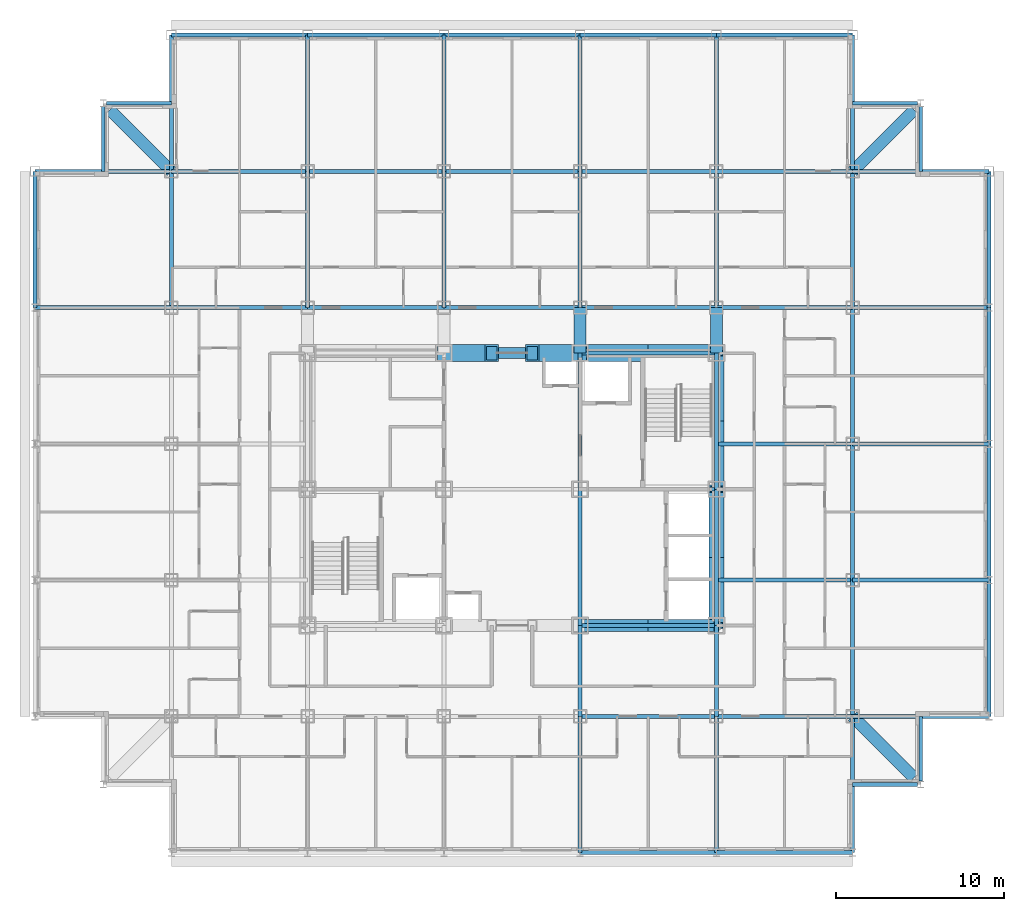
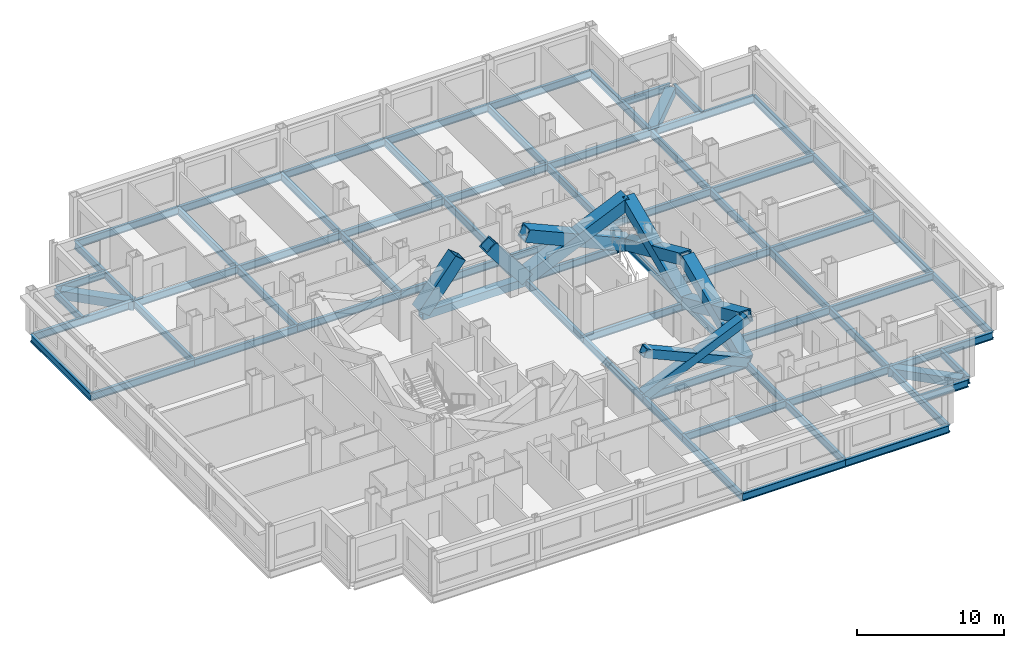
# One storey, part 2 of 12: 72 beams, 10 members.
"""IFC4 building model written with IfcOpenShell, lengths in metres."""

from ifc_helpers import new_model, si_unit, direction, frame, origin, origin_2d, place, context, subcontext, project, spatial, hollow_rectangle, i_section, extrude, material, material_profile, profile_set, type_object, element, save


model = new_model("IFC4")

# Units and contexts
model_context = context("Model", 3, precision=1e-05, world=origin(), true_north=direction((0.0, 1.0)))
body_context = subcontext(model_context, "Body", "Model", "MODEL_VIEW")
ifc_project = project(units=[si_unit("LENGTHUNIT", "METRE"), si_unit("AREAUNIT", "SQUARE_METRE"), si_unit("VOLUMEUNIT", "CUBIC_METRE"), si_unit("PLANEANGLEUNIT", "RADIAN"), si_unit("MASSUNIT", "GRAM", prefix="KILO")], contexts=[model_context])

# Site, building, storey
site_placement = place(None, origin())
site = spatial("IfcSite", under=ifc_project, at=site_placement, CompositionType="ELEMENT")
building_placement = place(site_placement, origin())
building = spatial("IfcBuilding", under=site, at=building_placement, Name="Kopane Lantern Tower", CompositionType="ELEMENT")
storey_placement = place(building_placement, frame((0.0, 0.0, 177.60009765625)))
storey = spatial("IfcBuildingStorey", under=building, at=storey_placement, Name="L45", CompositionType="ELEMENT", Elevation=177.60009765625)

# Members
ifc_material_1 = material(Name="Steel S355JR", Category="steel")
ifc_material_profile_1 = material_profile(ifc_material_1, hollow_rectangle(XDim=1.0, YDim=1.0, WallThickness=0.10009765625, at=origin_2d()), Name="BOX 1000x1000x100")
ifc_profile_set_1 = profile_set([ifc_material_profile_1], Name="Steel S355JR")
member_type_1 = type_object("IfcMemberType", Name="BRACE BOX 1000x1000x100", PredefinedType="BRACE", material=ifc_profile_set_1)
for number, where, z_axis, x_axis, name in (
    (1, (24.300048828125, 40.5, -0.210205078125), (0.620672981644, 0.0, 0.784069544018), (0.0, 1.0, 0.0), "Core brace L45"),
    (2, (32.39990234375, 40.5, -0.210205078125), (-0.620672981644, 0.0, 0.784069544018), (0.0, -1.0, 0.0), "Core brace L45"),
):
    element("IfcMember", number, at=place(storey_placement, frame(where, z_axis=z_axis, x_axis=x_axis)), inside=storey, type_object=member_type_1, Name=name, PredefinedType="BRACE", context=body_context, shape_type="SweptSolid", body=[
        extrude(hollow_rectangle(XDim=1.0, YDim=1.0, WallThickness=0.10009765625, at=origin_2d()), origin(), (0.0, 0.0, 1.0), 4.591552734375),
    ])
for number, where, z_axis, x_axis, name in (
    (3, (32.39990234375, 40.5, -0.210205078125), (0.913809277049, 0.0, 0.40614357705), (0.0, 1.0, 0.0), "Core brace L45"),
    (4, (40.5, 40.5, -0.210205078125), (-0.913809277049, 0.0, 0.40614357705), (0.0, -1.0, 0.0), "Core brace L45"),
):
    element("IfcMember", number, at=place(storey_placement, frame(where, z_axis=z_axis, x_axis=x_axis)), inside=storey, type_object=member_type_1, Name=name, PredefinedType="BRACE", context=body_context, shape_type="SweptSolid", body=[
        extrude(hollow_rectangle(XDim=1.0, YDim=1.0, WallThickness=0.10009765625, at=origin_2d()), origin(), (0.0, 0.0, 1.0), 8.864013671875),
    ])
ifc_material_2 = material(Name="Steel S355JR", Category="steel")
ifc_material_profile_2 = material_profile(ifc_material_2, hollow_rectangle(XDim=0.699951171875, YDim=0.699951171875, WallThickness=0.06005859375, at=origin_2d()), Name="BOX 700x700x60")
ifc_profile_set_2 = profile_set([ifc_material_profile_2], Name="Steel S355JR")
member_type_2 = type_object("IfcMemberType", Name="BRACE BOX 700x700x60", PredefinedType="BRACE", material=ifc_profile_set_2)
for number, where, z_axis, x_axis, name in (
    (5, (32.39990234375, 24.300048828125, -0.210205078125), (0.913809277049, 0.0, 0.40614357705), (0.0, 1.0, 0.0), "Core brace L45"),
    (6, (40.5, 24.300048828125, -0.210205078125), (-0.913809277049, 0.0, 0.40614357705), (0.0, -1.0, 0.0), "Core brace L45"),
):
    element("IfcMember", number, at=place(storey_placement, frame(where, z_axis=z_axis, x_axis=x_axis)), inside=storey, type_object=member_type_2, Name=name, PredefinedType="BRACE", context=body_context, shape_type="SweptSolid", body=[
        extrude(hollow_rectangle(XDim=0.699951171875, YDim=0.699951171875, WallThickness=0.06005859375, at=origin_2d()), origin(), (0.0, 0.0, 1.0), 8.864013671875),
    ])
ifc_material_3 = material(Name="Steel S355JR", Category="steel")
ifc_material_profile_3 = material_profile(ifc_material_3, hollow_rectangle(XDim=0.89990234375, YDim=0.89990234375, WallThickness=0.090087890625, at=origin_2d()), Name="BOX 900x900x90")
ifc_profile_set_3 = profile_set([ifc_material_profile_3], Name="Steel S355JR")
member_type_3 = type_object("IfcMemberType", Name="BRACE BOX 900x900x90", PredefinedType="BRACE", material=ifc_profile_set_3)
for number, where, z_axis, x_axis, name in (
    (7, (40.5, 24.300048828125, -0.210205078125), (0.0, 0.91380473365, 0.406153799391), (-1.0, 0.0, 0.0), "Core brace L45"),
    (8, (40.5, 32.39990234375, -0.210205078125), (0.0, -0.91380473365, 0.406153799391), (1.0, 0.0, 0.0), "Core brace L45"),
):
    element("IfcMember", number, at=place(storey_placement, frame(where, z_axis=z_axis, x_axis=x_axis)), inside=storey, type_object=member_type_3, Name=name, PredefinedType="BRACE", context=body_context, shape_type="SweptSolid", body=[
        extrude(hollow_rectangle(XDim=0.89990234375, YDim=0.89990234375, WallThickness=0.090087890625, at=origin_2d()), origin(), (0.0, 0.0, 1.0), 8.86376953125),
    ])
for number, where, z_axis, x_axis, name in (
    (9, (40.5, 32.39990234375, -0.210205078125), (0.0, 0.913809277049, 0.40614357705), (-1.0, 0.0, 0.0), "Core brace L45"),
    (10, (40.5, 40.5, -0.210205078125), (0.0, -0.913809277049, 0.40614357705), (1.0, 0.0, 0.0), "Core brace L45"),
):
    element("IfcMember", number, at=place(storey_placement, frame(where, z_axis=z_axis, x_axis=x_axis)), inside=storey, type_object=member_type_3, Name=name, PredefinedType="BRACE", context=body_context, shape_type="SweptSolid", body=[
        extrude(hollow_rectangle(XDim=0.89990234375, YDim=0.89990234375, WallThickness=0.090087890625, at=origin_2d()), origin(), (0.0, 0.0, 1.0), 8.864013671875),
    ])

# Beams
ifc_material_4 = material(Name="Steel S355JR", Category="steel")
ifc_material_profile_4 = material_profile(ifc_material_4, i_section(OverallWidth=0.22900390625, OverallDepth=0.6123046875, WebThickness=0.011962890625, FlangeThickness=0.01953125, FilletRadius=0.0126953125, at=origin_2d()), Name="UB 610x229x125")
ifc_profile_set_4 = profile_set([ifc_material_profile_4], Name="Steel S355JR")
beam_type_1 = type_object("IfcBeamType", Name="CORE BEAM UB 610x229x125", PredefinedType="BEAM", material=ifc_profile_set_4)
beam_1_placement = place(storey_placement, frame((32.39990234375, 24.300048828125, -0.51611328125), z_axis=(0.0, 1.0, 0.0), x_axis=(-1.0, 0.0, 0.0)))
element("IfcBeam", 11, at=beam_1_placement, inside=storey, type_object=beam_type_1, Name="Core Beam L45", PredefinedType="BEAM", context=body_context, shape_type="SweptSolid", body=[
    extrude(i_section(OverallWidth=0.22900390625, OverallDepth=0.6123046875, WebThickness=0.011962890625, FlangeThickness=0.01953125, FilletRadius=0.0126953125, at=origin_2d()), origin(), (0.0, 0.0, 1.0), 8.099853515625),
])
for number, where, z_axis, x_axis, name in (
    (12, (32.39990234375, 32.39990234375, -0.51611328125), (0.0, 1.0, 0.0), (-1.0, 0.0, 0.0), "Core Beam L45"),
    (13, (32.39990234375, 32.39990234375, -0.51611328125), (1.0, 0.0, 0.0), (0.0, 1.0, 0.0), "Core Beam L45"),
):
    element("IfcBeam", number, at=place(storey_placement, frame(where, z_axis=z_axis, x_axis=x_axis)), inside=storey, type_object=beam_type_1, Name=name, PredefinedType="BEAM", context=body_context, shape_type="SweptSolid", body=[
        extrude(i_section(OverallWidth=0.22900390625, OverallDepth=0.6123046875, WebThickness=0.011962890625, FlangeThickness=0.01953125, FilletRadius=0.0126953125, at=origin_2d()), origin(), (0.0, 0.0, 1.0), 8.10009765625),
    ])
ifc_material_5 = material(Name="Steel S355JR", Category="steel")
ifc_material_profile_5 = material_profile(ifc_material_5, hollow_rectangle(XDim=0.699951171875, YDim=0.699951171875, WallThickness=0.06005859375, at=origin_2d()), Name="BOX 700x700x60")
ifc_profile_set_5 = profile_set([ifc_material_profile_5], Name="Steel S355JR")
beam_type_2 = type_object("IfcBeamType", Name="CORNER TIE BEAM BOX 700x700x60", PredefinedType="BEAM", material=ifc_profile_set_5)
for number, where, z_axis, x_axis, name in (
    (14, (4.447509765625, 54.952392578125, -0.56005859375), (0.70713041325, -0.707083148333, 0.0), (0.707083148333, 0.70713041325, 0.0), "Corner Tie Beam L45"),
    (15, (52.25244140625, 15.24755859375, -0.56005859375), (-0.707106781187, 0.707106781187, 0.0), (-0.707106781187, -0.707106781187, 0.0), "Corner Tie Beam L45"),
    (16, (52.25244140625, 54.952392578125, -0.56005859375), (-0.707106781187, -0.707106781187, 0.0), (0.707106781187, -0.707106781187, 0.0), "Corner Tie Beam L45"),
):
    element("IfcBeam", number, at=place(storey_placement, frame(where, z_axis=z_axis, x_axis=x_axis)), inside=storey, type_object=beam_type_2, Name=name, PredefinedType="BEAM", context=body_context, shape_type="SweptSolid", body=[
        extrude(hollow_rectangle(XDim=0.699951171875, YDim=0.699951171875, WallThickness=0.06005859375, at=origin_2d()), origin(), (0.0, 0.0, 1.0), 5.165283203125),
    ])
ifc_material_6 = material(Name="Steel S355JR", Category="steel")
ifc_material_profile_6 = material_profile(ifc_material_6, i_section(OverallWidth=0.22900390625, OverallDepth=0.6123046875, WebThickness=0.011962890625, FlangeThickness=0.01953125, FilletRadius=0.0126953125, at=origin_2d()), Name="UB 610x229x125")
ifc_profile_set_6 = profile_set([ifc_material_profile_6], Name="Steel S355JR")
beam_type_3 = type_object("IfcBeamType", Name="EDGE BEAM UB 610x229x125", PredefinedType="BEAM", material=ifc_profile_set_6)
beam_2_placement = place(storey_placement, frame((4.050048828125, 55.146484375, -0.51611328125), z_axis=(0.0, -1.0, 0.0), x_axis=(1.0, 0.0, 0.0)))
element("IfcBeam", 17, at=beam_2_placement, inside=storey, type_object=beam_type_3, Name="Edge Beam L45", PredefinedType="BEAM", context=body_context, shape_type="SweptSolid", body=[
    extrude(i_section(OverallWidth=0.22900390625, OverallDepth=0.6123046875, WebThickness=0.011962890625, FlangeThickness=0.01953125, FilletRadius=0.0126953125, at=origin_2d()), origin(), (0.0, 0.0, 1.0), 3.846435546875),
])
beam_3_placement = place(storey_placement, frame((4.25341796875, 55.35009765625, -0.51611328125), z_axis=(1.0, 0.0, 0.0), x_axis=(0.0, 1.0, 0.0)))
element("IfcBeam", 18, at=beam_3_placement, inside=storey, type_object=beam_type_3, Name="Edge Beam L45", PredefinedType="BEAM", context=body_context, shape_type="SweptSolid", body=[
    extrude(i_section(OverallWidth=0.22900390625, OverallDepth=0.6123046875, WebThickness=0.011962890625, FlangeThickness=0.01953125, FilletRadius=0.0126953125, at=origin_2d()), origin(), (0.0, 0.0, 1.0), 3.8466796875),
])
for number, where, z_axis, x_axis, name in (
    (19, (52.446533203125, 14.85009765625, -0.51611328125), (-1.0, 0.0, 0.0), (0.0, -1.0, 0.0), "Edge Beam L45"),
    (20, (52.446533203125, 55.35009765625, -0.51611328125), (-1.0, 0.0, 0.0), (0.0, -1.0, 0.0), "Edge Beam L45"),
    (21, (52.64990234375, 15.053466796875, -0.51611328125), (0.0, 1.0, 0.0), (-1.0, 0.0, 0.0), "Edge Beam L45"),
    (22, (52.64990234375, 55.146484375, -0.51611328125), (0.0, -1.0, 0.0), (1.0, 0.0, 0.0), "Edge Beam L45"),
):
    element("IfcBeam", number, at=place(storey_placement, frame(where, z_axis=z_axis, x_axis=x_axis)), inside=storey, type_object=beam_type_3, Name=name, PredefinedType="BEAM", context=body_context, shape_type="SweptSolid", body=[
        extrude(i_section(OverallWidth=0.22900390625, OverallDepth=0.6123046875, WebThickness=0.011962890625, FlangeThickness=0.01953125, FilletRadius=0.0126953125, at=origin_2d()), origin(), (0.0, 0.0, 1.0), 3.846435546875),
    ])
ifc_material_7 = material(Name="Steel S355JR", Category="steel")
ifc_material_profile_7 = material_profile(ifc_material_7, hollow_rectangle(XDim=0.699951171875, YDim=0.699951171875, WallThickness=0.06005859375, at=origin_2d()), Name="BOX 700x700x60")
ifc_profile_set_7 = profile_set([ifc_material_profile_7], Name="Steel S355JR")
beam_type_4 = type_object("IfcBeamType", Name="GIRDER BOX 700x700x60", PredefinedType="BEAM", material=ifc_profile_set_7)
for number, where, z_axis, x_axis, name in (
    (23, (32.39990234375, 40.5, -0.56005859375), (0.0, 1.0, 0.0), (-1.0, 0.0, 0.0), "Girder L45"),
    (24, (40.5, 40.5, -0.56005859375), (0.0, 1.0, 0.0), (-1.0, 0.0, 0.0), "Girder L45"),
):
    element("IfcBeam", number, at=place(storey_placement, frame(where, z_axis=z_axis, x_axis=x_axis)), inside=storey, type_object=beam_type_4, Name=name, PredefinedType="BEAM", context=body_context, shape_type="SweptSolid", body=[
        extrude(hollow_rectangle(XDim=0.699951171875, YDim=0.699951171875, WallThickness=0.06005859375, at=origin_2d()), origin(), (0.0, 0.0, 1.0), 2.699951171875),
    ])
ifc_material_8 = material(Name="Steel S355JR", Category="steel")
ifc_material_profile_8 = material_profile(ifc_material_8, i_section(OverallWidth=0.22900390625, OverallDepth=0.6123046875, WebThickness=0.011962890625, FlangeThickness=0.01953125, FilletRadius=0.0126953125, at=origin_2d()), Name="UB 610x229x125")
ifc_profile_set_8 = profile_set([ifc_material_profile_8], Name="Steel S355JR")
beam_type_5 = type_object("IfcBeamType", Name="GIRDER UB 610x229x125", PredefinedType="BEAM", material=ifc_profile_set_8)
for number, where, z_axis, x_axis, name in (
    (25, (0.0, 43.199951171875, -0.51611328125), (0.0, 1.0, 0.0), (-1.0, 0.0, 0.0), "Girder L45"),
    (26, (0.0, 43.199951171875, -0.51611328125), (1.0, 0.0, 0.0), (0.0, 1.0, 0.0), "Girder L45"),
    (27, (0.0, 51.300048828125, -0.51611328125), (1.0, 0.0, 0.0), (0.0, 1.0, 0.0), "Girder L45"),
    (28, (8.10009765625, 43.199951171875, -0.51611328125), (0.0, 1.0, 0.0), (-1.0, 0.0, 0.0), "Girder L45"),
):
    element("IfcBeam", number, at=place(storey_placement, frame(where, z_axis=z_axis, x_axis=x_axis)), inside=storey, type_object=beam_type_5, Name=name, PredefinedType="BEAM", context=body_context, shape_type="SweptSolid", body=[
        extrude(i_section(OverallWidth=0.22900390625, OverallDepth=0.6123046875, WebThickness=0.011962890625, FlangeThickness=0.01953125, FilletRadius=0.0126953125, at=origin_2d()), origin(), (0.0, 0.0, 1.0), 8.10009765625),
    ])
for number, where, z_axis, x_axis, name in (
    (29, (8.10009765625, 43.199951171875, -0.51611328125), (1.0, 0.0, 0.0), (0.0, 1.0, 0.0), "Girder L45"),
    (30, (8.10009765625, 51.300048828125, -0.51611328125), (0.0, 1.0, 0.0), (-1.0, 0.0, 0.0), "Girder L45"),
    (31, (8.10009765625, 51.300048828125, -0.51611328125), (1.0, 0.0, 0.0), (0.0, 1.0, 0.0), "Girder L45"),
    (32, (8.10009765625, 59.39990234375, -0.51611328125), (1.0, 0.0, 0.0), (0.0, 1.0, 0.0), "Girder L45"),
):
    element("IfcBeam", number, at=place(storey_placement, frame(where, z_axis=z_axis, x_axis=x_axis)), inside=storey, type_object=beam_type_5, Name=name, PredefinedType="BEAM", context=body_context, shape_type="SweptSolid", body=[
        extrude(i_section(OverallWidth=0.22900390625, OverallDepth=0.6123046875, WebThickness=0.011962890625, FlangeThickness=0.01953125, FilletRadius=0.0126953125, at=origin_2d()), origin(), (0.0, 0.0, 1.0), 8.099853515625),
    ])
for number, where, z_axis, x_axis, name in (
    (33, (16.199951171875, 43.199951171875, -0.51611328125), (0.0, 1.0, 0.0), (-1.0, 0.0, 0.0), "Girder L45"),
    (34, (16.199951171875, 43.199951171875, -0.51611328125), (1.0, 0.0, 0.0), (0.0, 1.0, 0.0), "Girder L45"),
):
    element("IfcBeam", number, at=place(storey_placement, frame(where, z_axis=z_axis, x_axis=x_axis)), inside=storey, type_object=beam_type_5, Name=name, PredefinedType="BEAM", context=body_context, shape_type="SweptSolid", body=[
        extrude(i_section(OverallWidth=0.22900390625, OverallDepth=0.6123046875, WebThickness=0.011962890625, FlangeThickness=0.01953125, FilletRadius=0.0126953125, at=origin_2d()), origin(), (0.0, 0.0, 1.0), 8.10009765625),
    ])
beam_4_placement = place(storey_placement, frame((16.199951171875, 51.300048828125, -0.51611328125), z_axis=(0.0, 1.0, 0.0), x_axis=(-1.0, 0.0, 0.0)))
element("IfcBeam", 35, at=beam_4_placement, inside=storey, type_object=beam_type_5, Name="Girder L45", PredefinedType="BEAM", context=body_context, shape_type="SweptSolid", body=[
    extrude(i_section(OverallWidth=0.22900390625, OverallDepth=0.6123046875, WebThickness=0.011962890625, FlangeThickness=0.01953125, FilletRadius=0.0126953125, at=origin_2d()), origin(), (0.0, 0.0, 1.0), 8.099853515625),
])
for number, where, z_axis, x_axis, name in (
    (36, (16.199951171875, 51.300048828125, -0.51611328125), (1.0, 0.0, 0.0), (0.0, 1.0, 0.0), "Girder L45"),
    (37, (16.199951171875, 59.39990234375, -0.51611328125), (1.0, 0.0, 0.0), (0.0, 1.0, 0.0), "Girder L45"),
    (38, (24.300048828125, 43.199951171875, -0.51611328125), (0.0, 1.0, 0.0), (-1.0, 0.0, 0.0), "Girder L45"),
):
    element("IfcBeam", number, at=place(storey_placement, frame(where, z_axis=z_axis, x_axis=x_axis)), inside=storey, type_object=beam_type_5, Name=name, PredefinedType="BEAM", context=body_context, shape_type="SweptSolid", body=[
        extrude(i_section(OverallWidth=0.22900390625, OverallDepth=0.6123046875, WebThickness=0.011962890625, FlangeThickness=0.01953125, FilletRadius=0.0126953125, at=origin_2d()), origin(), (0.0, 0.0, 1.0), 8.10009765625),
    ])
for number, where, z_axis, x_axis, name in (
    (39, (24.300048828125, 43.199951171875, -0.51611328125), (1.0, 0.0, 0.0), (0.0, 1.0, 0.0), "Girder L45"),
    (40, (24.300048828125, 51.300048828125, -0.51611328125), (0.0, 1.0, 0.0), (-1.0, 0.0, 0.0), "Girder L45"),
    (41, (24.300048828125, 51.300048828125, -0.51611328125), (1.0, 0.0, 0.0), (0.0, 1.0, 0.0), "Girder L45"),
    (42, (24.300048828125, 59.39990234375, -0.51611328125), (1.0, 0.0, 0.0), (0.0, 1.0, 0.0), "Girder L45"),
    (43, (32.39990234375, 10.800048828125, -0.51611328125), (0.0, 1.0, 0.0), (-1.0, 0.0, 0.0), "Girder L45"),
):
    element("IfcBeam", number, at=place(storey_placement, frame(where, z_axis=z_axis, x_axis=x_axis)), inside=storey, type_object=beam_type_5, Name=name, PredefinedType="BEAM", context=body_context, shape_type="SweptSolid", body=[
        extrude(i_section(OverallWidth=0.22900390625, OverallDepth=0.6123046875, WebThickness=0.011962890625, FlangeThickness=0.01953125, FilletRadius=0.0126953125, at=origin_2d()), origin(), (0.0, 0.0, 1.0), 8.099853515625),
    ])
beam_5_placement = place(storey_placement, frame((32.39990234375, 10.800048828125, -0.51611328125), z_axis=(1.0, 0.0, 0.0), x_axis=(0.0, 1.0, 0.0)))
element("IfcBeam", 44, at=beam_5_placement, inside=storey, type_object=beam_type_5, Name="Girder L45", PredefinedType="BEAM", context=body_context, shape_type="SweptSolid", body=[
    extrude(i_section(OverallWidth=0.22900390625, OverallDepth=0.6123046875, WebThickness=0.011962890625, FlangeThickness=0.01953125, FilletRadius=0.0126953125, at=origin_2d()), origin(), (0.0, 0.0, 1.0), 8.10009765625),
])
beam_6_placement = place(storey_placement, frame((32.39990234375, 18.89990234375, -0.51611328125), z_axis=(0.0, 1.0, 0.0), x_axis=(-1.0, 0.0, 0.0)))
element("IfcBeam", 45, at=beam_6_placement, inside=storey, type_object=beam_type_5, Name="Girder L45", PredefinedType="BEAM", context=body_context, shape_type="SweptSolid", body=[
    extrude(i_section(OverallWidth=0.22900390625, OverallDepth=0.6123046875, WebThickness=0.011962890625, FlangeThickness=0.01953125, FilletRadius=0.0126953125, at=origin_2d()), origin(), (0.0, 0.0, 1.0), 5.400146484375),
])
for number, where, z_axis, x_axis, name in (
    (46, (32.39990234375, 18.89990234375, -0.51611328125), (1.0, 0.0, 0.0), (0.0, 1.0, 0.0), "Girder L45"),
    (47, (32.39990234375, 24.300048828125, -0.51611328125), (1.0, 0.0, 0.0), (0.0, 1.0, 0.0), "Girder L45"),
    (48, (32.39990234375, 40.5, -0.51611328125), (1.0, 0.0, 0.0), (0.0, 1.0, 0.0), "Girder L45"),
    (49, (32.39990234375, 43.199951171875, -0.51611328125), (0.0, 1.0, 0.0), (-1.0, 0.0, 0.0), "Girder L45"),
    (50, (32.39990234375, 43.199951171875, -0.51611328125), (1.0, 0.0, 0.0), (0.0, 1.0, 0.0), "Girder L45"),
):
    element("IfcBeam", number, at=place(storey_placement, frame(where, z_axis=z_axis, x_axis=x_axis)), inside=storey, type_object=beam_type_5, Name=name, PredefinedType="BEAM", context=body_context, shape_type="SweptSolid", body=[
        extrude(i_section(OverallWidth=0.22900390625, OverallDepth=0.6123046875, WebThickness=0.011962890625, FlangeThickness=0.01953125, FilletRadius=0.0126953125, at=origin_2d()), origin(), (0.0, 0.0, 1.0), 8.10009765625),
    ])
beam_7_placement = place(storey_placement, frame((32.39990234375, 51.300048828125, -0.51611328125), z_axis=(0.0, 1.0, 0.0), x_axis=(-1.0, 0.0, 0.0)))
element("IfcBeam", 51, at=beam_7_placement, inside=storey, type_object=beam_type_5, Name="Girder L45", PredefinedType="BEAM", context=body_context, shape_type="SweptSolid", body=[
    extrude(i_section(OverallWidth=0.22900390625, OverallDepth=0.6123046875, WebThickness=0.011962890625, FlangeThickness=0.01953125, FilletRadius=0.0126953125, at=origin_2d()), origin(), (0.0, 0.0, 1.0), 8.099853515625),
])
for number, where, z_axis, x_axis, name in (
    (52, (32.39990234375, 51.300048828125, -0.51611328125), (1.0, 0.0, 0.0), (0.0, 1.0, 0.0), "Girder L45"),
    (53, (32.39990234375, 59.39990234375, -0.51611328125), (1.0, 0.0, 0.0), (0.0, 1.0, 0.0), "Girder L45"),
):
    element("IfcBeam", number, at=place(storey_placement, frame(where, z_axis=z_axis, x_axis=x_axis)), inside=storey, type_object=beam_type_5, Name=name, PredefinedType="BEAM", context=body_context, shape_type="SweptSolid", body=[
        extrude(i_section(OverallWidth=0.22900390625, OverallDepth=0.6123046875, WebThickness=0.011962890625, FlangeThickness=0.01953125, FilletRadius=0.0126953125, at=origin_2d()), origin(), (0.0, 0.0, 1.0), 8.10009765625),
    ])
beam_8_placement = place(storey_placement, frame((40.5, 10.800048828125, -0.51611328125), z_axis=(0.0, 1.0, 0.0), x_axis=(-1.0, 0.0, 0.0)))
element("IfcBeam", 54, at=beam_8_placement, inside=storey, type_object=beam_type_5, Name="Girder L45", PredefinedType="BEAM", context=body_context, shape_type="SweptSolid", body=[
    extrude(i_section(OverallWidth=0.22900390625, OverallDepth=0.6123046875, WebThickness=0.011962890625, FlangeThickness=0.01953125, FilletRadius=0.0126953125, at=origin_2d()), origin(), (0.0, 0.0, 1.0), 8.099853515625),
])
beam_9_placement = place(storey_placement, frame((40.5, 10.800048828125, -0.51611328125), z_axis=(1.0, 0.0, 0.0), x_axis=(0.0, 1.0, 0.0)))
element("IfcBeam", 55, at=beam_9_placement, inside=storey, type_object=beam_type_5, Name="Girder L45", PredefinedType="BEAM", context=body_context, shape_type="SweptSolid", body=[
    extrude(i_section(OverallWidth=0.22900390625, OverallDepth=0.6123046875, WebThickness=0.011962890625, FlangeThickness=0.01953125, FilletRadius=0.0126953125, at=origin_2d()), origin(), (0.0, 0.0, 1.0), 8.10009765625),
])
beam_10_placement = place(storey_placement, frame((40.5, 18.89990234375, -0.51611328125), z_axis=(0.0, 1.0, 0.0), x_axis=(-1.0, 0.0, 0.0)))
element("IfcBeam", 56, at=beam_10_placement, inside=storey, type_object=beam_type_5, Name="Girder L45", PredefinedType="BEAM", context=body_context, shape_type="SweptSolid", body=[
    extrude(i_section(OverallWidth=0.22900390625, OverallDepth=0.6123046875, WebThickness=0.011962890625, FlangeThickness=0.01953125, FilletRadius=0.0126953125, at=origin_2d()), origin(), (0.0, 0.0, 1.0), 5.400146484375),
])
beam_11_placement = place(storey_placement, frame((40.5, 18.89990234375, -0.51611328125), z_axis=(1.0, 0.0, 0.0), x_axis=(0.0, 1.0, 0.0)))
element("IfcBeam", 57, at=beam_11_placement, inside=storey, type_object=beam_type_5, Name="Girder L45", PredefinedType="BEAM", context=body_context, shape_type="SweptSolid", body=[
    extrude(i_section(OverallWidth=0.22900390625, OverallDepth=0.6123046875, WebThickness=0.011962890625, FlangeThickness=0.01953125, FilletRadius=0.0126953125, at=origin_2d()), origin(), (0.0, 0.0, 1.0), 8.10009765625),
])
beam_12_placement = place(storey_placement, frame((40.5, 24.300048828125, -0.51611328125), z_axis=(0.0, 1.0, 0.0), x_axis=(-1.0, 0.0, 0.0)))
element("IfcBeam", 58, at=beam_12_placement, inside=storey, type_object=beam_type_5, Name="Girder L45", PredefinedType="BEAM", context=body_context, shape_type="SweptSolid", body=[
    extrude(i_section(OverallWidth=0.22900390625, OverallDepth=0.6123046875, WebThickness=0.011962890625, FlangeThickness=0.01953125, FilletRadius=0.0126953125, at=origin_2d()), origin(), (0.0, 0.0, 1.0), 8.099853515625),
])
for number, where, z_axis, x_axis, name in (
    (59, (40.5, 27.0, -0.51611328125), (1.0, 0.0, 0.0), (0.0, 1.0, 0.0), "Girder L45"),
    (60, (40.5, 32.39990234375, -0.51611328125), (0.0, 1.0, 0.0), (-1.0, 0.0, 0.0), "Girder L45"),
    (61, (40.5, 35.10009765625, -0.51611328125), (1.0, 0.0, 0.0), (0.0, 1.0, 0.0), "Girder L45"),
    (62, (40.5, 43.199951171875, -0.51611328125), (0.0, 1.0, 0.0), (-1.0, 0.0, 0.0), "Girder L45"),
    (63, (40.5, 43.199951171875, -0.51611328125), (1.0, 0.0, 0.0), (0.0, 1.0, 0.0), "Girder L45"),
):
    element("IfcBeam", number, at=place(storey_placement, frame(where, z_axis=z_axis, x_axis=x_axis)), inside=storey, type_object=beam_type_5, Name=name, PredefinedType="BEAM", context=body_context, shape_type="SweptSolid", body=[
        extrude(i_section(OverallWidth=0.22900390625, OverallDepth=0.6123046875, WebThickness=0.011962890625, FlangeThickness=0.01953125, FilletRadius=0.0126953125, at=origin_2d()), origin(), (0.0, 0.0, 1.0), 8.10009765625),
    ])
beam_13_placement = place(storey_placement, frame((40.5, 51.300048828125, -0.51611328125), z_axis=(0.0, 1.0, 0.0), x_axis=(-1.0, 0.0, 0.0)))
element("IfcBeam", 64, at=beam_13_placement, inside=storey, type_object=beam_type_5, Name="Girder L45", PredefinedType="BEAM", context=body_context, shape_type="SweptSolid", body=[
    extrude(i_section(OverallWidth=0.22900390625, OverallDepth=0.6123046875, WebThickness=0.011962890625, FlangeThickness=0.01953125, FilletRadius=0.0126953125, at=origin_2d()), origin(), (0.0, 0.0, 1.0), 8.099853515625),
])
for number, where, z_axis, x_axis, name in (
    (65, (40.5, 51.300048828125, -0.51611328125), (1.0, 0.0, 0.0), (0.0, 1.0, 0.0), "Girder L45"),
    (66, (40.5, 59.39990234375, -0.51611328125), (1.0, 0.0, 0.0), (0.0, 1.0, 0.0), "Girder L45"),
):
    element("IfcBeam", number, at=place(storey_placement, frame(where, z_axis=z_axis, x_axis=x_axis)), inside=storey, type_object=beam_type_5, Name=name, PredefinedType="BEAM", context=body_context, shape_type="SweptSolid", body=[
        extrude(i_section(OverallWidth=0.22900390625, OverallDepth=0.6123046875, WebThickness=0.011962890625, FlangeThickness=0.01953125, FilletRadius=0.0126953125, at=origin_2d()), origin(), (0.0, 0.0, 1.0), 8.10009765625),
    ])
beam_14_placement = place(storey_placement, frame((48.60009765625, 10.800048828125, -0.51611328125), z_axis=(0.0, 1.0, 0.0), x_axis=(-1.0, 0.0, 0.0)))
element("IfcBeam", 67, at=beam_14_placement, inside=storey, type_object=beam_type_5, Name="Girder L45", PredefinedType="BEAM", context=body_context, shape_type="SweptSolid", body=[
    extrude(i_section(OverallWidth=0.22900390625, OverallDepth=0.6123046875, WebThickness=0.011962890625, FlangeThickness=0.01953125, FilletRadius=0.0126953125, at=origin_2d()), origin(), (0.0, 0.0, 1.0), 8.099853515625),
])
beam_15_placement = place(storey_placement, frame((48.60009765625, 18.89990234375, -0.51611328125), z_axis=(0.0, 1.0, 0.0), x_axis=(-1.0, 0.0, 0.0)))
element("IfcBeam", 68, at=beam_15_placement, inside=storey, type_object=beam_type_5, Name="Girder L45", PredefinedType="BEAM", context=body_context, shape_type="SweptSolid", body=[
    extrude(i_section(OverallWidth=0.22900390625, OverallDepth=0.6123046875, WebThickness=0.011962890625, FlangeThickness=0.01953125, FilletRadius=0.0126953125, at=origin_2d()), origin(), (0.0, 0.0, 1.0), 8.10009765625),
])
beam_16_placement = place(storey_placement, frame((48.60009765625, 18.89990234375, -0.51611328125), z_axis=(1.0, 0.0, 0.0), x_axis=(0.0, 1.0, 0.0)))
element("IfcBeam", 69, at=beam_16_placement, inside=storey, type_object=beam_type_5, Name="Girder L45", PredefinedType="BEAM", context=body_context, shape_type="SweptSolid", body=[
    extrude(i_section(OverallWidth=0.22900390625, OverallDepth=0.6123046875, WebThickness=0.011962890625, FlangeThickness=0.01953125, FilletRadius=0.0126953125, at=origin_2d()), origin(), (0.0, 0.0, 1.0), 8.099853515625),
])
beam_17_placement = place(storey_placement, frame((48.60009765625, 27.0, -0.51611328125), z_axis=(0.0, 1.0, 0.0), x_axis=(-1.0, 0.0, 0.0)))
element("IfcBeam", 70, at=beam_17_placement, inside=storey, type_object=beam_type_5, Name="Girder L45", PredefinedType="BEAM", context=body_context, shape_type="SweptSolid", body=[
    extrude(i_section(OverallWidth=0.22900390625, OverallDepth=0.6123046875, WebThickness=0.011962890625, FlangeThickness=0.01953125, FilletRadius=0.0126953125, at=origin_2d()), origin(), (0.0, 0.0, 1.0), 8.10009765625),
])
for number, where, z_axis, x_axis, name in (
    (71, (48.60009765625, 27.0, -0.51611328125), (1.0, 0.0, 0.0), (0.0, 1.0, 0.0), "Girder L45"),
    (72, (48.60009765625, 35.10009765625, -0.51611328125), (0.0, 1.0, 0.0), (-1.0, 0.0, 0.0), "Girder L45"),
    (73, (48.60009765625, 35.10009765625, -0.51611328125), (1.0, 0.0, 0.0), (0.0, 1.0, 0.0), "Girder L45"),
):
    element("IfcBeam", number, at=place(storey_placement, frame(where, z_axis=z_axis, x_axis=x_axis)), inside=storey, type_object=beam_type_5, Name=name, PredefinedType="BEAM", context=body_context, shape_type="SweptSolid", body=[
        extrude(i_section(OverallWidth=0.22900390625, OverallDepth=0.6123046875, WebThickness=0.011962890625, FlangeThickness=0.01953125, FilletRadius=0.0126953125, at=origin_2d()), origin(), (0.0, 0.0, 1.0), 8.099853515625),
    ])
beam_18_placement = place(storey_placement, frame((48.60009765625, 43.199951171875, -0.51611328125), z_axis=(0.0, 1.0, 0.0), x_axis=(-1.0, 0.0, 0.0)))
element("IfcBeam", 74, at=beam_18_placement, inside=storey, type_object=beam_type_5, Name="Girder L45", PredefinedType="BEAM", context=body_context, shape_type="SweptSolid", body=[
    extrude(i_section(OverallWidth=0.22900390625, OverallDepth=0.6123046875, WebThickness=0.011962890625, FlangeThickness=0.01953125, FilletRadius=0.0126953125, at=origin_2d()), origin(), (0.0, 0.0, 1.0), 8.10009765625),
])
for number, where, z_axis, x_axis, name in (
    (75, (48.60009765625, 43.199951171875, -0.51611328125), (1.0, 0.0, 0.0), (0.0, 1.0, 0.0), "Girder L45"),
    (76, (48.60009765625, 51.300048828125, -0.51611328125), (0.0, 1.0, 0.0), (-1.0, 0.0, 0.0), "Girder L45"),
    (77, (48.60009765625, 51.300048828125, -0.51611328125), (1.0, 0.0, 0.0), (0.0, 1.0, 0.0), "Girder L45"),
):
    element("IfcBeam", number, at=place(storey_placement, frame(where, z_axis=z_axis, x_axis=x_axis)), inside=storey, type_object=beam_type_5, Name=name, PredefinedType="BEAM", context=body_context, shape_type="SweptSolid", body=[
        extrude(i_section(OverallWidth=0.22900390625, OverallDepth=0.6123046875, WebThickness=0.011962890625, FlangeThickness=0.01953125, FilletRadius=0.0126953125, at=origin_2d()), origin(), (0.0, 0.0, 1.0), 8.099853515625),
    ])
for number, where, z_axis, x_axis, name in (
    (78, (56.699951171875, 18.89990234375, -0.51611328125), (0.0, 1.0, 0.0), (-1.0, 0.0, 0.0), "Girder L45"),
    (79, (56.699951171875, 27.0, -0.51611328125), (0.0, 1.0, 0.0), (-1.0, 0.0, 0.0), "Girder L45"),
):
    element("IfcBeam", number, at=place(storey_placement, frame(where, z_axis=z_axis, x_axis=x_axis)), inside=storey, type_object=beam_type_5, Name=name, PredefinedType="BEAM", context=body_context, shape_type="SweptSolid", body=[
        extrude(i_section(OverallWidth=0.22900390625, OverallDepth=0.6123046875, WebThickness=0.011962890625, FlangeThickness=0.01953125, FilletRadius=0.0126953125, at=origin_2d()), origin(), (0.0, 0.0, 1.0), 8.10009765625),
    ])
beam_19_placement = place(storey_placement, frame((56.699951171875, 35.10009765625, -0.51611328125), z_axis=(0.0, 1.0, 0.0), x_axis=(-1.0, 0.0, 0.0)))
element("IfcBeam", 80, at=beam_19_placement, inside=storey, type_object=beam_type_5, Name="Girder L45", PredefinedType="BEAM", context=body_context, shape_type="SweptSolid", body=[
    extrude(i_section(OverallWidth=0.22900390625, OverallDepth=0.6123046875, WebThickness=0.011962890625, FlangeThickness=0.01953125, FilletRadius=0.0126953125, at=origin_2d()), origin(), (0.0, 0.0, 1.0), 8.099853515625),
])
beam_20_placement = place(storey_placement, frame((56.699951171875, 43.199951171875, -0.51611328125), z_axis=(0.0, 1.0, 0.0), x_axis=(-1.0, 0.0, 0.0)))
element("IfcBeam", 81, at=beam_20_placement, inside=storey, type_object=beam_type_5, Name="Girder L45", PredefinedType="BEAM", context=body_context, shape_type="SweptSolid", body=[
    extrude(i_section(OverallWidth=0.22900390625, OverallDepth=0.6123046875, WebThickness=0.011962890625, FlangeThickness=0.01953125, FilletRadius=0.0126953125, at=origin_2d()), origin(), (0.0, 0.0, 1.0), 8.10009765625),
])
ifc_material_9 = material(Name="Steel S355JR", Category="steel")
ifc_material_profile_9 = material_profile(ifc_material_9, hollow_rectangle(XDim=0.64990234375, YDim=0.64990234375, WallThickness=0.070068359375, at=origin_2d()), Name="BOX 650x650x70")
ifc_profile_set_9 = profile_set([ifc_material_profile_9], Name="Steel S355JR")
beam_type_6 = type_object("IfcBeamType", Name="LINK BEAM BOX 650x650x70", PredefinedType="BEAM", material=ifc_profile_set_9)
beam_21_placement = place(storey_placement, frame((24.300048828125, 40.5, -0.53515625), z_axis=(1.0, 0.0, 0.0), x_axis=(0.0, 1.0, 0.0)))
element("IfcBeam", 82, at=beam_21_placement, inside=storey, type_object=beam_type_6, Name="Link Beam L45", PredefinedType="BEAM", context=body_context, shape_type="SweptSolid", body=[
    extrude(hollow_rectangle(XDim=0.64990234375, YDim=0.64990234375, WallThickness=0.070068359375, at=origin_2d()), origin(), (0.0, 0.0, 1.0), 8.099853515625),
])

save(model, "model.ifc")
